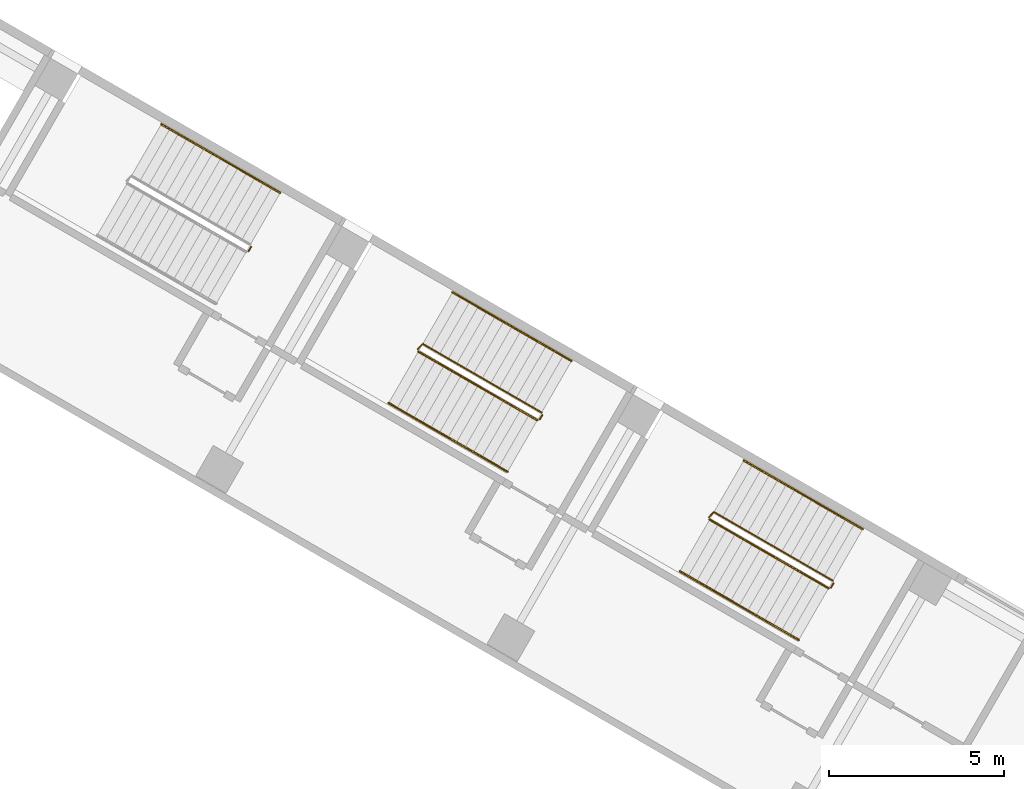
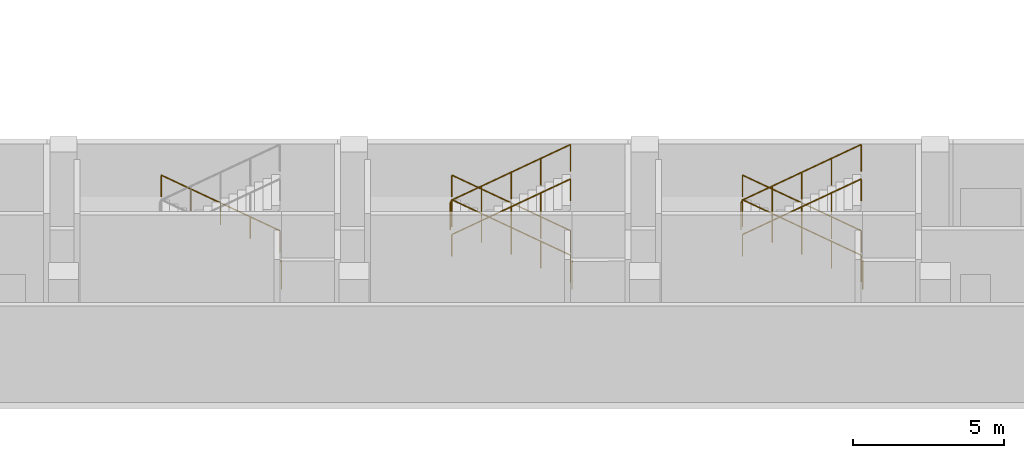
# One storey, part 25 of 28: 12 railings.
"""IFC4 building model written with IfcOpenShell, lengths in metres."""

from ifc_helpers import new_model, si_unit, direction, frame, origin, origin_2d, place, context, subcontext, project, spatial, circle, extrude, material, type_object, element, save


model = new_model("IFC4")

# Units and contexts
model_context = context("Model", 3, precision=1e-05, world=origin(), true_north=direction((0.0, 1.0)))
body_context = subcontext(model_context, "Body", "Model", "MODEL_VIEW")
ifc_project = project(units=[si_unit("LENGTHUNIT", "METRE"), si_unit("AREAUNIT", "SQUARE_METRE"), si_unit("VOLUMEUNIT", "CUBIC_METRE"), si_unit("PLANEANGLEUNIT", "RADIAN"), si_unit("MASSUNIT", "GRAM", prefix="KILO")], contexts=[model_context])

# Site, building, storey
site_placement = place(None, origin())
site = spatial("IfcSite", under=ifc_project, at=site_placement, CompositionType="ELEMENT")
building_placement = place(site_placement, origin())
building = spatial("IfcBuilding", under=site, at=building_placement, Name="Mestral Congress Tower", CompositionType="ELEMENT")
storey_placement = place(building_placement, frame((0.0, 0.0, 11.39990234375)))
storey = spatial("IfcBuildingStorey", under=building, at=storey_placement, Name="L02", CompositionType="ELEMENT", Elevation=11.39990234375)

# Railings
ifc_material_1 = material(Name="Steel balustrade", Category="steel")
railing_type_1 = type_object("IfcRailingType", Name="Podium stair guard 1100", PredefinedType="GUARDRAIL", material=ifc_material_1)
railing_1_placement = place(storey_placement, frame((-13.889892578125, 51.89794921875, 0.16015625)))
element("IfcRailing", 1, at=railing_1_placement, inside=storey, type_object=railing_type_1, Name="L02 PS-W1 stair guard 1", PredefinedType="GUARDRAIL", context=body_context, shape_type="SweptSolid", body=[
    extrude(circle(Radius=0.02392578125, at=origin_2d()), frame((0.0, 0.0, 1.076171875), z_axis=(-0.751919994781, 0.434118210579, 0.496142822878), x_axis=(-0.499997407846, -0.86602690036, 0.0)), (0.0, 0.0, 1.0), 4.514892578125),
    extrude(circle(Radius=0.02392578125, at=origin_2d()), frame((-3.394775390625, 1.9599609375, 3.31591796875), z_axis=(-0.695164929852, -0.718850276695, 0.0), x_axis=(0.718850276695, -0.695164929852, 0.0)), (0.0, 0.0, 1.0), 0.2060546875),
    extrude(circle(Radius=0.02099609375, at=origin_2d()), origin(), (0.0, 0.0, 1.0), 1.052001953125),
    extrude(circle(Radius=0.02099609375, at=origin_2d()), frame((-0.8486328125, 0.489990234375, 0.56005859375)), (0.0, 0.0, 1.0), 1.052001953125),
    extrude(circle(Radius=0.02099609375, at=origin_2d()), frame((-1.697265625, 0.97998046875, 1.1201171875)), (0.0, 0.0, 1.0), 1.052001953125),
    extrude(circle(Radius=0.02099609375, at=origin_2d()), frame((-2.546142578125, 1.469970703125, 1.679931640625)), (0.0, 0.0, 1.0), 1.052001953125),
    extrude(circle(Radius=0.02099609375, at=origin_2d()), frame((-3.394775390625, 1.9599609375, 2.239990234375)), (0.0, 0.0, 1.0), 1.052001953125),
    extrude(circle(Radius=0.02099609375, at=origin_2d()), frame((-3.5380859375, 1.811767578125, 2.239990234375)), (0.0, 0.0, 1.0), 1.052001953125),
])
railing_2_placement = place(storey_placement, frame((-17.40966796875, 53.641357421875, 2.56005859375)))
element("IfcRailing", 2, at=railing_2_placement, inside=storey, type_object=railing_type_1, Name="L02 PS-W1 stair guard 2", PredefinedType="GUARDRAIL", context=body_context, shape_type="SweptSolid", body=[
    extrude(circle(Radius=0.02392578125, at=origin_2d()), frame((0.0, 0.0, 1.076171875), z_axis=(0.751919994781, -0.434118210579, 0.496142822878), x_axis=(0.499997407846, 0.86602690036, 0.0)), (0.0, 0.0, 1.0), 4.514892578125),
    extrude(circle(Radius=0.02099609375, at=origin_2d()), origin(), (0.0, 0.0, 1.0), 1.052001953125),
    extrude(circle(Radius=0.02099609375, at=origin_2d()), frame((0.8486328125, -0.489990234375, 0.56005859375)), (0.0, 0.0, 1.0), 1.052001953125),
    extrude(circle(Radius=0.02099609375, at=origin_2d()), frame((1.697265625, -0.97998046875, 1.1201171875)), (0.0, 0.0, 1.0), 1.052001953125),
    extrude(circle(Radius=0.02099609375, at=origin_2d()), frame((2.546142578125, -1.469970703125, 1.679931640625)), (0.0, 0.0, 1.0), 1.052001953125),
    extrude(circle(Radius=0.02099609375, at=origin_2d()), frame((3.394775390625, -1.9599609375, 2.239990234375)), (0.0, 0.0, 1.0), 1.052001953125),
])
railing_3_placement = place(storey_placement, frame((-13.87158203125, 51.82958984375, 0.0)))
element("IfcRailing", 3, at=railing_3_placement, inside=storey, type_object=railing_type_1, Name="L02 PS-W1 stair guard 3", PredefinedType="GUARDRAIL", context=body_context, shape_type="SweptSolid", body=[
    extrude(circle(Radius=0.02392578125, at=origin_2d()), frame((0.0, 0.0, 1.076171875), z_axis=(-0.499816412211, -0.866131372301, 0.0), x_axis=(0.866131372301, -0.499816412211, 0.0)), (0.0, 0.0, 1.0), 0.14990234375),
    extrude(circle(Radius=0.02099609375, at=origin_2d()), origin(), (0.0, 0.0, 1.0), 1.052001953125),
    extrude(circle(Radius=0.02099609375, at=origin_2d()), frame((-0.074951171875, -0.1298828125, 0.0)), (0.0, 0.0, 1.0), 1.052001953125),
])
railing_4_placement = place(storey_placement, frame((-22.203857421875, 56.697998046875, 0.16015625)))
element("IfcRailing", 4, at=railing_4_placement, inside=storey, type_object=railing_type_1, Name="L02 PS-W2 stair guard 1", PredefinedType="GUARDRAIL", context=body_context, shape_type="SweptSolid", body=[
    extrude(circle(Radius=0.02392578125, at=origin_2d()), frame((0.0, 0.0, 1.076171875), z_axis=(-0.751919994781, 0.434118210579, 0.496142822878), x_axis=(-0.499997407846, -0.86602690036, 0.0)), (0.0, 0.0, 1.0), 4.514892578125),
    extrude(circle(Radius=0.02392578125, at=origin_2d()), frame((-3.394775390625, 1.9599609375, 3.31591796875), z_axis=(-0.695164929852, -0.718850276695, 0.0), x_axis=(0.718850276695, -0.695164929852, 0.0)), (0.0, 0.0, 1.0), 0.2060546875),
    extrude(circle(Radius=0.02099609375, at=origin_2d()), origin(), (0.0, 0.0, 1.0), 1.052001953125),
    extrude(circle(Radius=0.02099609375, at=origin_2d()), frame((-0.8486328125, 0.489990234375, 0.56005859375)), (0.0, 0.0, 1.0), 1.052001953125),
    extrude(circle(Radius=0.02099609375, at=origin_2d()), frame((-1.697265625, 0.97998046875, 1.1201171875)), (0.0, 0.0, 1.0), 1.052001953125),
    extrude(circle(Radius=0.02099609375, at=origin_2d()), frame((-2.546142578125, 1.469970703125, 1.679931640625)), (0.0, 0.0, 1.0), 1.052001953125),
    extrude(circle(Radius=0.02099609375, at=origin_2d()), frame((-3.394775390625, 1.9599609375, 2.239990234375)), (0.0, 0.0, 1.0), 1.052001953125),
    extrude(circle(Radius=0.02099609375, at=origin_2d()), frame((-3.5380859375, 1.811767578125, 2.239990234375)), (0.0, 0.0, 1.0), 1.052001953125),
])
railing_5_placement = place(storey_placement, frame((-25.7236328125, 58.44140625, 2.56005859375)))
element("IfcRailing", 5, at=railing_5_placement, inside=storey, type_object=railing_type_1, Name="L02 PS-W2 stair guard 2", PredefinedType="GUARDRAIL", context=body_context, shape_type="SweptSolid", body=[
    extrude(circle(Radius=0.02392578125, at=origin_2d()), frame((0.0, 0.0, 1.076171875), z_axis=(0.751919994781, -0.434118210579, 0.496142822878), x_axis=(0.499997407846, 0.86602690036, 0.0)), (0.0, 0.0, 1.0), 4.514892578125),
    extrude(circle(Radius=0.02099609375, at=origin_2d()), origin(), (0.0, 0.0, 1.0), 1.052001953125),
    extrude(circle(Radius=0.02099609375, at=origin_2d()), frame((0.8486328125, -0.489990234375, 0.56005859375)), (0.0, 0.0, 1.0), 1.052001953125),
    extrude(circle(Radius=0.02099609375, at=origin_2d()), frame((1.697265625, -0.97998046875, 1.1201171875)), (0.0, 0.0, 1.0), 1.052001953125),
    extrude(circle(Radius=0.02099609375, at=origin_2d()), frame((2.546142578125, -1.469970703125, 1.679931640625)), (0.0, 0.0, 1.0), 1.052001953125),
    extrude(circle(Radius=0.02099609375, at=origin_2d()), frame((3.394775390625, -1.9599609375, 2.239990234375)), (0.0, 0.0, 1.0), 1.052001953125),
])
for number, where, name in (
    (6, (-22.185546875, 56.629638671875, 0.0), "L02 PS-W2 stair guard 3"),
    (7, (-30.499267578125, 61.4296875, 0.0), "L02 PS-W3 stair guard 3"),
):
    element("IfcRailing", number, at=place(storey_placement, frame(where)), inside=storey, type_object=railing_type_1, Name=name, PredefinedType="GUARDRAIL", context=body_context, shape_type="SweptSolid", body=[
        extrude(circle(Radius=0.02392578125, at=origin_2d()), frame((0.0, 0.0, 1.076171875), z_axis=(-0.499816412211, -0.866131372301, 0.0), x_axis=(0.866131372301, -0.499816412211, 0.0)), (0.0, 0.0, 1.0), 0.14990234375),
        extrude(circle(Radius=0.02099609375, at=origin_2d()), origin(), (0.0, 0.0, 1.0), 1.052001953125),
        extrude(circle(Radius=0.02099609375, at=origin_2d()), frame((-0.074951171875, -0.1298828125, 0.0)), (0.0, 0.0, 1.0), 1.052001953125),
    ])
ifc_material_2 = material(Name="Steel handrail", Category="steel")
railing_type_2 = type_object("IfcRailingType", Name="Podium stair handrail 900", PredefinedType="HANDRAIL", material=ifc_material_2)
railing_6_placement = place(storey_placement, frame((-13.0400390625, 53.3701171875, 0.16015625)))
element("IfcRailing", 8, at=railing_6_placement, inside=storey, type_object=railing_type_2, Name="L02 PS-W1 stair handrail 1", PredefinedType="HANDRAIL", context=body_context, shape_type="SweptSolid", body=[
    extrude(circle(Radius=0.02392578125, at=origin_2d()), frame((0.0, 0.0, 0.8759765625), z_axis=(-0.751919994781, 0.434118210579, 0.496142822878), x_axis=(-0.499997407846, -0.86602690036, 0.0)), (0.0, 0.0, 1.0), 4.514892578125),
    extrude(circle(Radius=0.02099609375, at=origin_2d()), origin(), (0.0, 0.0, 1.0), 0.851806640625),
    extrude(circle(Radius=0.02099609375, at=origin_2d()), frame((-0.8486328125, 0.489990234375, 0.56005859375)), (0.0, 0.0, 1.0), 0.851806640625),
    extrude(circle(Radius=0.02099609375, at=origin_2d()), frame((-1.697265625, 0.97998046875, 1.1201171875)), (0.0, 0.0, 1.0), 0.851806640625),
    extrude(circle(Radius=0.02099609375, at=origin_2d()), frame((-2.546142578125, 1.469970703125, 1.679931640625)), (0.0, 0.0, 1.0), 0.851806640625),
    extrude(circle(Radius=0.02099609375, at=origin_2d()), frame((-3.394775390625, 1.9599609375, 2.239990234375)), (0.0, 0.0, 1.0), 0.851806640625),
])
railing_7_placement = place(storey_placement, frame((-18.259765625, 52.169189453125, 2.56005859375)))
element("IfcRailing", 9, at=railing_7_placement, inside=storey, type_object=railing_type_2, Name="L02 PS-W1 stair handrail 2", PredefinedType="HANDRAIL", context=body_context, shape_type="SweptSolid", body=[
    extrude(circle(Radius=0.02392578125, at=origin_2d()), frame((0.0, 0.0, 0.8759765625), z_axis=(0.751919994781, -0.434118210579, 0.496142822878), x_axis=(0.499997407846, 0.86602690036, 0.0)), (0.0, 0.0, 1.0), 4.514892578125),
    extrude(circle(Radius=0.02099609375, at=origin_2d()), origin(), (0.0, 0.0, 1.0), 0.851806640625),
    extrude(circle(Radius=0.02099609375, at=origin_2d()), frame((0.8486328125, -0.489990234375, 0.56005859375)), (0.0, 0.0, 1.0), 0.851806640625),
    extrude(circle(Radius=0.02099609375, at=origin_2d()), frame((1.697265625, -0.97998046875, 1.1201171875)), (0.0, 0.0, 1.0), 0.851806640625),
    extrude(circle(Radius=0.02099609375, at=origin_2d()), frame((2.546142578125, -1.469970703125, 1.679931640625)), (0.0, 0.0, 1.0), 0.851806640625),
    extrude(circle(Radius=0.02099609375, at=origin_2d()), frame((3.394775390625, -1.9599609375, 2.239990234375)), (0.0, 0.0, 1.0), 0.851806640625),
])
railing_8_placement = place(storey_placement, frame((-21.353759765625, 58.170166015625, 0.16015625)))
element("IfcRailing", 10, at=railing_8_placement, inside=storey, type_object=railing_type_2, Name="L02 PS-W2 stair handrail 1", PredefinedType="HANDRAIL", context=body_context, shape_type="SweptSolid", body=[
    extrude(circle(Radius=0.02392578125, at=origin_2d()), frame((0.0, 0.0, 0.8759765625), z_axis=(-0.751919994781, 0.434118210579, 0.496142822878), x_axis=(-0.499997407846, -0.86602690036, 0.0)), (0.0, 0.0, 1.0), 4.514892578125),
    extrude(circle(Radius=0.02099609375, at=origin_2d()), origin(), (0.0, 0.0, 1.0), 0.851806640625),
    extrude(circle(Radius=0.02099609375, at=origin_2d()), frame((-0.8486328125, 0.489990234375, 0.56005859375)), (0.0, 0.0, 1.0), 0.851806640625),
    extrude(circle(Radius=0.02099609375, at=origin_2d()), frame((-1.697265625, 0.97998046875, 1.1201171875)), (0.0, 0.0, 1.0), 0.851806640625),
    extrude(circle(Radius=0.02099609375, at=origin_2d()), frame((-2.546142578125, 1.469970703125, 1.679931640625)), (0.0, 0.0, 1.0), 0.851806640625),
    extrude(circle(Radius=0.02099609375, at=origin_2d()), frame((-3.394775390625, 1.9599609375, 2.239990234375)), (0.0, 0.0, 1.0), 0.851806640625),
])
railing_9_placement = place(storey_placement, frame((-26.573486328125, 56.96923828125, 2.56005859375)))
element("IfcRailing", 11, at=railing_9_placement, inside=storey, type_object=railing_type_2, Name="L02 PS-W2 stair handrail 2", PredefinedType="HANDRAIL", context=body_context, shape_type="SweptSolid", body=[
    extrude(circle(Radius=0.02392578125, at=origin_2d()), frame((0.0, 0.0, 0.8759765625), z_axis=(0.751919994781, -0.434118210579, 0.496142822878), x_axis=(0.499997407846, 0.86602690036, 0.0)), (0.0, 0.0, 1.0), 4.514892578125),
    extrude(circle(Radius=0.02099609375, at=origin_2d()), origin(), (0.0, 0.0, 1.0), 0.851806640625),
    extrude(circle(Radius=0.02099609375, at=origin_2d()), frame((0.8486328125, -0.489990234375, 0.56005859375)), (0.0, 0.0, 1.0), 0.851806640625),
    extrude(circle(Radius=0.02099609375, at=origin_2d()), frame((1.697265625, -0.97998046875, 1.1201171875)), (0.0, 0.0, 1.0), 0.851806640625),
    extrude(circle(Radius=0.02099609375, at=origin_2d()), frame((2.546142578125, -1.469970703125, 1.679931640625)), (0.0, 0.0, 1.0), 0.851806640625),
    extrude(circle(Radius=0.02099609375, at=origin_2d()), frame((3.394775390625, -1.9599609375, 2.239990234375)), (0.0, 0.0, 1.0), 0.851806640625),
])
railing_10_placement = place(storey_placement, frame((-29.66748046875, 62.97021484375, 0.16015625)))
element("IfcRailing", 12, at=railing_10_placement, inside=storey, type_object=railing_type_2, Name="L02 PS-W3 stair handrail 1", PredefinedType="HANDRAIL", context=body_context, shape_type="SweptSolid", body=[
    extrude(circle(Radius=0.02392578125, at=origin_2d()), frame((0.0, 0.0, 0.8759765625), z_axis=(-0.751919994781, 0.434118210579, 0.496142822878), x_axis=(-0.499997407846, -0.86602690036, 0.0)), (0.0, 0.0, 1.0), 4.514892578125),
    extrude(circle(Radius=0.02099609375, at=origin_2d()), origin(), (0.0, 0.0, 1.0), 0.851806640625),
    extrude(circle(Radius=0.02099609375, at=origin_2d()), frame((-0.8486328125, 0.489990234375, 0.56005859375)), (0.0, 0.0, 1.0), 0.851806640625),
    extrude(circle(Radius=0.02099609375, at=origin_2d()), frame((-1.697265625, 0.97998046875, 1.1201171875)), (0.0, 0.0, 1.0), 0.851806640625),
    extrude(circle(Radius=0.02099609375, at=origin_2d()), frame((-2.546142578125, 1.469970703125, 1.679931640625)), (0.0, 0.0, 1.0), 0.851806640625),
    extrude(circle(Radius=0.02099609375, at=origin_2d()), frame((-3.394775390625, 1.9599609375, 2.239990234375)), (0.0, 0.0, 1.0), 0.851806640625),
])

save(model, "model.ifc")
